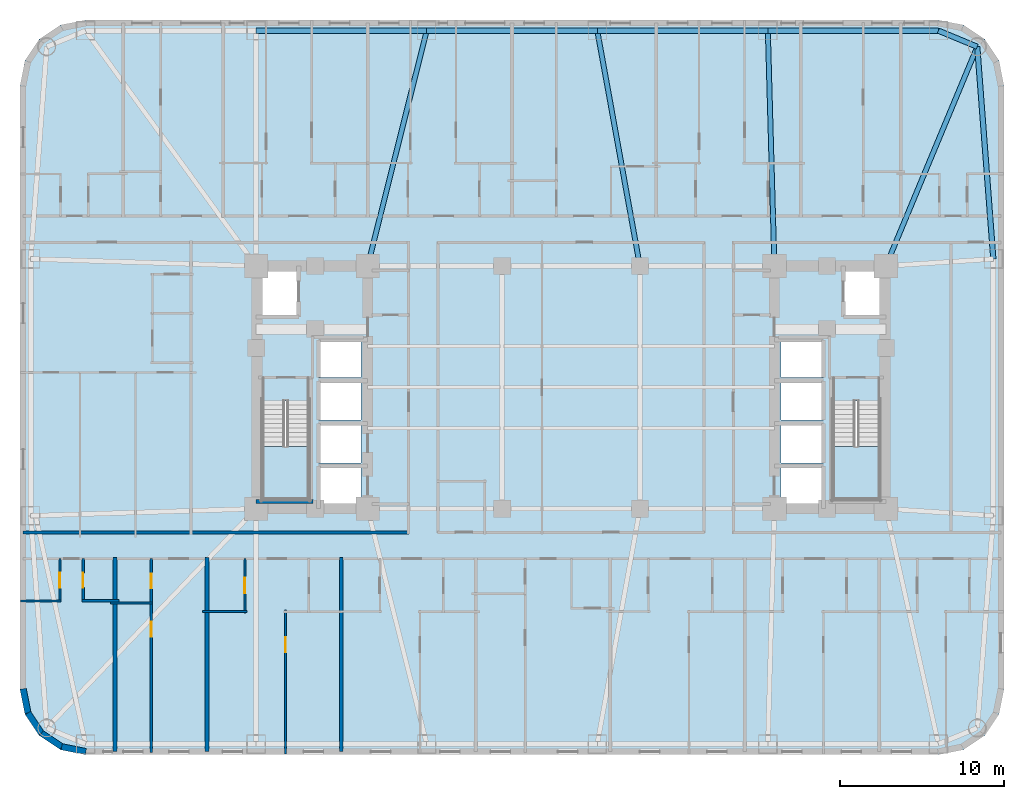
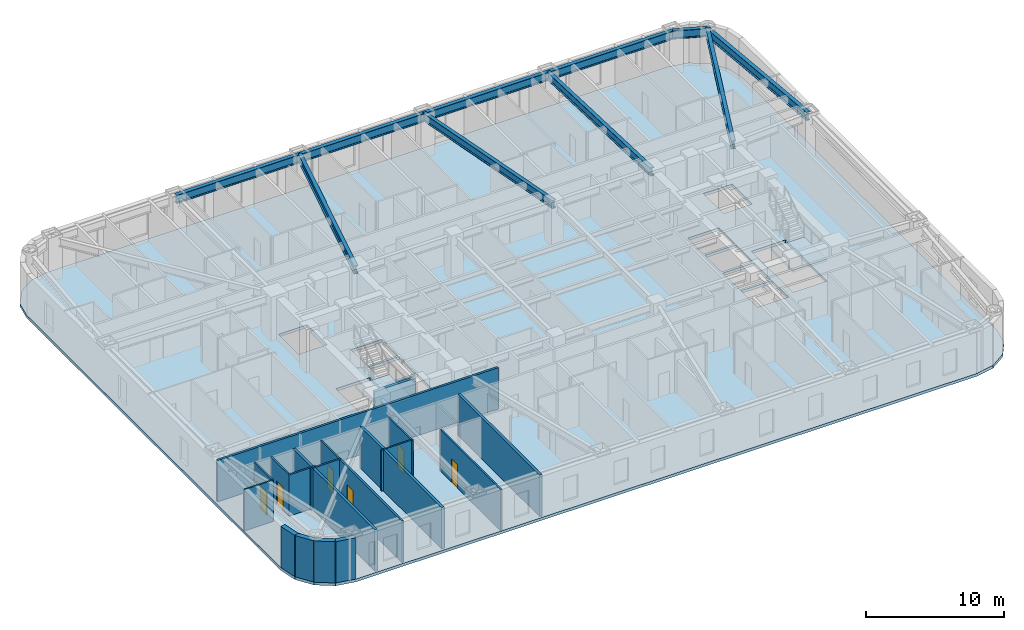
# One storey, part 2 of 12: 19 walls, 10 beams, 6 doors, 3 slabs, 6 openings, 2 elements without a shape of their own.
"""IFC4 building model written with IfcOpenShell, lengths in metres."""

import ifcopenshell
import ifcopenshell.guid

model = None  # the IFC model being written
_history = None  # IfcOwnerHistory: only IFC2X3 demands one
_inside = {}  # id of a spatial element -> (the spatial element, [elements in it])
_under = {}  # id of a project, library or spatial element -> (it, [spatial elements below it])
_declared = {}  # id of a project -> (the project, [libraries it declares])
_typed = {}  # id of a type object -> (the type object, [elements of that type])
_made_of = {}  # id of a material, layer set ... -> (it, [elements and type objects made of it])


def new_model(schema):
    """Start an empty IFC model of exactly this schema.

    Asked for "IFC4X3", IfcOpenShell would pick the latest addendum, in which some entities
    have other attributes; the version numbers below select the first issue.
    IFC2X3 requires an IfcOwnerHistory on every rooted entity: one is made here for all.
    """
    global model, _history
    if schema == "IFC4X3":
        model = ifcopenshell.file(schema_version=(4, 3, 0, 0))
    else:
        model = ifcopenshell.file(schema=schema)
    _inside.clear()
    _under.clear()
    _declared.clear()
    _typed.clear()
    _made_of.clear()
    _history = None
    if model.schema == "IFC2X3":
        org = make("IfcOrganization", Name="unknown")
        user = make(
            "IfcPersonAndOrganization",
            ThePerson=make("IfcPerson", FamilyName="unknown"),
            TheOrganization=org,
        )
        app = make(
            "IfcApplication",
            ApplicationDeveloper=org,
            Version="unknown",
            ApplicationFullName="unknown",
            ApplicationIdentifier="unknown",
        )
        _history = make(
            "IfcOwnerHistory",
            OwningUser=user,
            OwningApplication=app,
            ChangeAction="ADDED",
            CreationDate=0,
        )
    return model


def make(cls, **values):
    """One entity of the class cls with the attributes given. An attribute that is None is left unset."""
    return model.create_entity(
        cls, **{name: value for name, value in values.items() if value is not None}
    )


def rooted(cls, **values):
    """An entity with a GlobalId (a new one), such as an element, a storey or a relation."""
    return make(cls, GlobalId=ifcopenshell.guid.new(), OwnerHistory=_history, **values)


def si_unit(unit_type, name, prefix=None):
    """IfcSIUnit, for example si_unit("LENGTHUNIT", "METRE", prefix="MILLI")."""
    return make("IfcSIUnit", UnitType=unit_type, Prefix=prefix, Name=name)


def assignment(units):
    """IfcUnitAssignment: the units of a project."""
    return None if units is None else make("IfcUnitAssignment", Units=units)


def point(xyz):
    """IfcCartesianPoint."""
    return None if xyz is None else make("IfcCartesianPoint", Coordinates=xyz)


def direction(xyz):
    """IfcDirection."""
    return None if xyz is None else make("IfcDirection", DirectionRatios=xyz)


def frame(location, z_axis=None, x_axis=None):
    """IfcAxis2Placement3D, a coordinate frame: its origin and axes. An axis left out is left unset."""
    return make(
        "IfcAxis2Placement3D",
        Location=point(location),
        Axis=direction(z_axis),
        RefDirection=direction(x_axis),
    )


def frame_2d(location, x_axis=None):
    """IfcAxis2Placement2D, a coordinate frame in the plane: its origin and x axis."""
    return make(
        "IfcAxis2Placement2D", Location=point(location), RefDirection=direction(x_axis)
    )


def origin():
    """The frame at (0, 0, 0) with its axes left unset."""
    return frame((0.0, 0.0, 0.0))


def origin_2d():
    """The frame at (0, 0) in the plane with its x axis left unset."""
    return frame_2d((0.0, 0.0))


def place(relative_to, where):
    """IfcLocalPlacement: puts the frame where relative to a parent placement (None: the world)."""
    return make(
        "IfcLocalPlacement", PlacementRelTo=relative_to, RelativePlacement=where
    )


def context(
    kind, dimensions, precision=None, world=None, true_north=None, identifier=None
):
    """IfcGeometricRepresentationContext, for example the 3D "Model" context."""
    return make(
        "IfcGeometricRepresentationContext",
        ContextIdentifier=identifier,
        ContextType=kind,
        CoordinateSpaceDimension=dimensions,
        Precision=precision,
        WorldCoordinateSystem=world,
        TrueNorth=true_north,
    )


def subcontext(parent, identifier, kind, view, scale=None):
    """IfcGeometricRepresentationSubContext, for example "Body" below "Model"."""
    return make(
        "IfcGeometricRepresentationSubContext",
        ContextIdentifier=identifier,
        ContextType=kind,
        ParentContext=parent,
        TargetScale=scale,
        TargetView=view,
    )


def project(units=None, contexts=None):
    """IfcProject with its units and contexts."""
    return rooted(
        "IfcProject",
        Name="project",
        RepresentationContexts=contexts,
        UnitsInContext=assignment(units),
    )


def spatial(cls, under=None, at=None, **own):
    """A site, building, storey or space (cls), placed at a placement, below another one or the project."""
    s = rooted(cls, ObjectPlacement=at, **own)
    if under is not None:
        _under.setdefault(under.id(), (under, []))[1].append(s)
    return s


def polyline(points):
    """IfcPolyline through the points."""
    return make("IfcPolyline", Points=[point(p) for p in points])


def profile(cls, at=None, kind="AREA", **sizes):
    """A parametric profile (cls). Its sizes go by their IFC names, for example OverallWidth=200.0."""
    return make(cls, ProfileType=kind, Position=at, **sizes)


def rectangle(**sizes):
    """IfcRectangleProfileDef."""
    return profile("IfcRectangleProfileDef", **sizes)


def i_section(**sizes):
    """IfcIShapeProfileDef."""
    return profile("IfcIShapeProfileDef", **sizes)


def outline(outer, holes=None, kind="AREA"):
    """IfcArbitraryClosedProfileDef: a profile drawn as a closed curve; with holes, ...WithVoids."""
    if holes is None:
        return make("IfcArbitraryClosedProfileDef", ProfileType=kind, OuterCurve=outer)
    return make(
        "IfcArbitraryProfileDefWithVoids",
        ProfileType=kind,
        OuterCurve=outer,
        InnerCurves=holes,
    )


def extrude(swept, where, along, depth):
    """IfcExtrudedAreaSolid: the profile swept, set in the frame where, extruded along a direction by depth."""
    return make(
        "IfcExtrudedAreaSolid",
        SweptArea=swept,
        Position=where,
        ExtrudedDirection=direction(along),
        Depth=depth,
    )


def shape(context_of_items, identifier, shape_type, items):
    """IfcShapeRepresentation: the items that make up one representation, for example the "Body"."""
    return make(
        "IfcShapeRepresentation",
        ContextOfItems=context_of_items,
        RepresentationIdentifier=identifier,
        RepresentationType=shape_type,
        Items=items,
    )


def material(Name=None, Category=None):
    """IfcMaterial."""
    return make("IfcMaterial", Name=Name, Category=Category)


def layer(
    of_material, thickness, ventilated=None, Name=None, Category=None, Priority=None
):
    """IfcMaterialLayer: one layer of a wall or slab, of a material (None: an air gap)."""
    return make(
        "IfcMaterialLayer",
        Material=of_material,
        LayerThickness=thickness,
        IsVentilated=ventilated,
        Name=Name,
        Category=Category,
        Priority=Priority,
    )


def layer_set(layers, Name=None):
    """IfcMaterialLayerSet."""
    return make("IfcMaterialLayerSet", MaterialLayers=layers, LayerSetName=Name)


def material_profile(
    of_material, cross_section, Name=None, Category=None, Priority=None
):
    """IfcMaterialProfile: a cross section and its material."""
    return make(
        "IfcMaterialProfile",
        Name=Name,
        Material=of_material,
        Profile=cross_section,
        Priority=Priority,
        Category=Category,
    )


def profile_set(profiles, Name=None, composite=None):
    """IfcMaterialProfileSet."""
    return make(
        "IfcMaterialProfileSet",
        Name=Name,
        MaterialProfiles=profiles,
        CompositeProfile=composite,
    )


def made_of(thing, what):
    """Note that an element or type object is made of a material, layer set ...; save() writes the relation."""
    if what is not None:
        _made_of.setdefault(what.id(), (what, []))[1].append(thing)
    return thing


def type_object(cls, material=None, **own):
    """A type object (cls), such as IfcWallType, which elements share."""
    return made_of(rooted(cls, **own), material)


def element(
    cls,
    number,
    at=None,
    inside=None,
    cuts=None,
    type_object=None,
    material=None,
    context=None,
    identifier="Body",
    shape_type=None,
    held_by="IfcProductDefinitionShape",
    body=None,
    shapes=None,
    **own,
):
    """One element of the class cls, such as IfcWall. Its Tag is "e" and its number.

    at: its placement. inside: the storey or other place that contains it. cuts: it is an
    opening in that element (IfcRelVoidsElement). A single representation is given by context,
    identifier, shape_type and body (its items); several are given by shapes. held_by: the class
    of the entity that holds the representations. save() writes the other relations.
    """
    e = rooted(cls, Tag="e%d" % number, ObjectPlacement=at, **own)
    if body is not None:
        shapes = [shape(context, identifier, shape_type, body)]
    if shapes is not None:
        e.Representation = make(held_by, Representations=shapes)
    if inside is not None:
        _inside.setdefault(inside.id(), (inside, []))[1].append(e)
    if cuts is not None:
        rooted(
            "IfcRelVoidsElement", RelatingBuildingElement=cuts, RelatedOpeningElement=e
        )
    if type_object is not None:
        _typed.setdefault(type_object.id(), (type_object, []))[1].append(e)
    return made_of(e, material)


def fill(opening, filler):
    """IfcRelFillsElement: the door or window that sits in an opening."""
    return rooted(
        "IfcRelFillsElement",
        RelatingOpeningElement=opening,
        RelatedBuildingElement=filler,
    )


def aggregate(whole, parts):
    """IfcRelAggregates: a whole, such as a stair, and the parts it consists of."""
    return rooted("IfcRelAggregates", RelatingObject=whole, RelatedObjects=parts)


def save(model, path):
    """Write the relations noted so far, then the file.

    IfcRelAggregates (storeys below a building ...), IfcRelContainedInSpatialStructure (elements
    in a storey), IfcRelDefinesByType, IfcRelAssociatesMaterial and IfcRelDeclares: one each for
    every whole, place, type object, material and project.
    """
    for whole, parts in _under.values():
        aggregate(whole, parts)
    for where, things in _inside.values():
        rooted(
            "IfcRelContainedInSpatialStructure",
            RelatedElements=things,
            RelatingStructure=where,
        )
    for kind, things in _typed.values():
        rooted("IfcRelDefinesByType", RelatedObjects=things, RelatingType=kind)
    for what, things in _made_of.values():
        rooted("IfcRelAssociatesMaterial", RelatedObjects=things, RelatingMaterial=what)
    for by, libraries in _declared.values():
        rooted("IfcRelDeclares", RelatingContext=by, RelatedDefinitions=libraries)
    model.write(path)


model = new_model("IFC4")

# Units and contexts
model_context = context("Model", 3, precision=1e-05, world=origin(), true_north=direction((0.0, 1.0)))
body_context = subcontext(model_context, "Body", "Model", "MODEL_VIEW")
ifc_project = project(units=[si_unit("LENGTHUNIT", "METRE"), si_unit("AREAUNIT", "SQUARE_METRE"), si_unit("VOLUMEUNIT", "CUBIC_METRE"), si_unit("PLANEANGLEUNIT", "RADIAN"), si_unit("MASSUNIT", "GRAM", prefix="KILO")], contexts=[model_context])

# Site, building, storey
site_placement = place(None, origin())
site = spatial("IfcSite", under=ifc_project, at=site_placement, CompositionType="ELEMENT")
building_placement = place(site_placement, origin())
building = spatial("IfcBuilding", under=site, at=building_placement, Name="Voryun Gate Residences", CompositionType="ELEMENT")
storey_placement = place(building_placement, frame((0.0, 0.0, 72.800048828125)))
storey = spatial("IfcBuildingStorey", under=building, at=storey_placement, Name="L17", CompositionType="ELEMENT", Elevation=72.800048828125)

# Beams
ifc_material_1 = material(Name="Steel SM355", Category="steel")
ifc_material_profile_1 = material_profile(ifc_material_1, i_section(OverallWidth=0.320068359375, OverallDepth=0.75, WebThickness=0.01611328125, FlangeThickness=0.028076171875, FilletRadius=0.01806640625, at=origin_2d()), Name="H-750x320x16x28")
ifc_profile_set_1 = profile_set([ifc_material_profile_1], Name="Steel SM355")
beam_type_1 = type_object("IfcBeamType", Name="BM_EXO_SPANDREL_L", PredefinedType="SPANDREL", material=ifc_profile_set_1)
beam_1_placement = place(storey_placement, frame((25.75, 7.830078125, 3.27490234375), z_axis=(-0.075617360159, 0.997136908776, 0.0), x_axis=(-0.997136908776, -0.075617360159, 0.0)))
element("IfcBeam", 1, at=beam_1_placement, inside=storey, type_object=beam_type_1, Name="BM-L17-SPAND-09", PredefinedType="SPANDREL", context=body_context, shape_type="SweptSolid", body=[
    extrude(i_section(OverallWidth=0.320068359375, OverallDepth=0.75, WebThickness=0.01611328125, FlangeThickness=0.028076171875, FilletRadius=0.01806640625, at=origin_2d()), origin(), (0.0, 0.0, 1.0), 12.975830078125),
])
beam_2_placement = place(storey_placement, frame((24.768798828125, 20.768798828125, 3.27490234375), z_axis=(-0.923883376753, 0.382674151414, 0.0), x_axis=(-0.382674151414, -0.923883376753, 0.0)))
element("IfcBeam", 2, at=beam_2_placement, inside=storey, type_object=beam_type_1, Name="BM-L17-SPAND-10", PredefinedType="SPANDREL", context=body_context, shape_type="SweptSolid", body=[
    extrude(i_section(OverallWidth=0.320068359375, OverallDepth=0.75, WebThickness=0.01611328125, FlangeThickness=0.028076171875, FilletRadius=0.01806640625, at=origin_2d()), origin(), (0.0, 0.0, 1.0), 2.56396484375),
])
for number, where, z_axis, x_axis, name in (
    (3, (22.39990234375, 21.75, 3.27490234375), (-1.0, 0.0, 0.0), (0.0, -1.0, 0.0), "BM-L17-SPAND-11"),
    (4, (12.0, 21.75, 3.27490234375), (-1.0, 0.0, 0.0), (0.0, -1.0, 0.0), "BM-L17-SPAND-12"),
):
    element("IfcBeam", number, at=place(storey_placement, frame(where, z_axis=z_axis, x_axis=x_axis)), inside=storey, type_object=beam_type_1, Name=name, PredefinedType="SPANDREL", context=body_context, shape_type="SweptSolid", body=[
        extrude(i_section(OverallWidth=0.320068359375, OverallDepth=0.75, WebThickness=0.01611328125, FlangeThickness=0.028076171875, FilletRadius=0.01806640625, at=origin_2d()), origin(), (0.0, 0.0, 1.0), 10.39990234375),
    ])
beam_3_placement = place(storey_placement, frame((1.60009765625, 21.75, 3.27490234375), z_axis=(-1.0, 0.0, 0.0), x_axis=(0.0, -1.0, 0.0)))
element("IfcBeam", 5, at=beam_3_placement, inside=storey, type_object=beam_type_1, Name="BM-L17-SPAND-13", PredefinedType="SPANDREL", context=body_context, shape_type="SweptSolid", body=[
    extrude(i_section(OverallWidth=0.320068359375, OverallDepth=0.75, WebThickness=0.01611328125, FlangeThickness=0.028076171875, FilletRadius=0.01806640625, at=origin_2d()), origin(), (0.0, 0.0, 1.0), 10.400146484375),
])
beam_4_placement = place(storey_placement, frame((-8.800048828125, 21.75, 3.27490234375), z_axis=(-1.0, 0.0, 0.0), x_axis=(0.0, -1.0, 0.0)))
element("IfcBeam", 6, at=beam_4_placement, inside=storey, type_object=beam_type_1, Name="BM-L17-SPAND-14", PredefinedType="SPANDREL", context=body_context, shape_type="SweptSolid", body=[
    extrude(i_section(OverallWidth=0.320068359375, OverallDepth=0.75, WebThickness=0.01611328125, FlangeThickness=0.028076171875, FilletRadius=0.01806640625, at=origin_2d()), origin(), (0.0, 0.0, 1.0), 10.39990234375),
])
ifc_material_2 = material(Name="Steel SM355", Category="steel")
ifc_material_profile_2 = material_profile(ifc_material_2, i_section(OverallWidth=0.300048828125, OverallDepth=0.699951171875, WebThickness=0.012939453125, FlangeThickness=0.02392578125, FilletRadius=0.01806640625, at=origin_2d()), Name="H-700x300x13x24")
ifc_profile_set_2 = profile_set([ifc_material_profile_2], Name="Steel SM355")
beam_type_2 = type_object("IfcBeamType", Name="BM_GIRD_700", PredefinedType="USERDEFINED", material=ifc_profile_set_2)
beam_5_placement = place(storey_placement, frame((19.199951171875, 7.39990234375, 3.300048828125), z_axis=(0.384525607719, 0.923114324993, 0.0), x_axis=(-0.923114324993, 0.384525607719, 0.0)))
element("IfcBeam", 7, at=beam_5_placement, inside=storey, type_object=beam_type_2, Name="BM-L17-RAD-CNE", ObjectType="GIRDER", PredefinedType="USERDEFINED", context=body_context, shape_type="SweptSolid", body=[
    extrude(i_section(OverallWidth=0.300048828125, OverallDepth=0.699951171875, WebThickness=0.012939453125, FlangeThickness=0.02392578125, FilletRadius=0.01806640625, at=origin_2d()), origin(), (0.0, 0.0, 1.0), 14.482421875),
])
beam_6_placement = place(storey_placement, frame((12.39990234375, 7.39990234375, 3.300048828125), z_axis=(-0.0278567548, 0.999611925305, 0.0), x_axis=(-0.999611925305, -0.0278567548, 0.0)))
element("IfcBeam", 8, at=beam_6_placement, inside=storey, type_object=beam_type_2, Name="BM-L17-RAD-N2", ObjectType="GIRDER", PredefinedType="USERDEFINED", context=body_context, shape_type="SweptSolid", body=[
    extrude(i_section(OverallWidth=0.300048828125, OverallDepth=0.699951171875, WebThickness=0.012939453125, FlangeThickness=0.02392578125, FilletRadius=0.01806640625, at=origin_2d()), origin(), (0.0, 0.0, 1.0), 14.355712890625),
])
beam_7_placement = place(storey_placement, frame((4.199951171875, 7.39990234375, 3.300048828125), z_axis=(-0.178271088758, 0.983981411874, 0.0), x_axis=(-0.983981411874, -0.178271088758, 0.0)))
element("IfcBeam", 9, at=beam_7_placement, inside=storey, type_object=beam_type_2, Name="BM-L17-RAD-N3", ObjectType="GIRDER", PredefinedType="USERDEFINED", context=body_context, shape_type="SweptSolid", body=[
    extrude(i_section(OverallWidth=0.300048828125, OverallDepth=0.699951171875, WebThickness=0.012939453125, FlangeThickness=0.02392578125, FilletRadius=0.01806640625, at=origin_2d()), origin(), (0.0, 0.0, 1.0), 14.583740234375),
])
beam_8_placement = place(storey_placement, frame((-12.39990234375, 7.39990234375, 3.300048828125), z_axis=(0.243319869291, 0.969946102218, 0.0), x_axis=(-0.969946102218, 0.243319869291, 0.0)))
element("IfcBeam", 10, at=beam_8_placement, inside=storey, type_object=beam_type_2, Name="BM-L17-RAD-N4", ObjectType="GIRDER", PredefinedType="USERDEFINED", context=body_context, shape_type="SweptSolid", body=[
    extrude(i_section(OverallWidth=0.300048828125, OverallDepth=0.699951171875, WebThickness=0.012939453125, FlangeThickness=0.02392578125, FilletRadius=0.01806640625, at=origin_2d()), origin(), (0.0, 0.0, 1.0), 14.794677734375),
])

# Slab
ifc_material_3 = material(Name="Concrete C40/50", Category="concrete")
ifc_layer_1 = layer(ifc_material_3, 0.25, Name="SLB_RES_250")
ifc_layer_set_1 = layer_set([ifc_layer_1], Name="Concrete C40/50")
slab_type_1 = type_object("IfcSlabType", Name="SLB_RES_250", PredefinedType="FLOOR", material=ifc_layer_set_1)
slab_1_placement = place(storey_placement, frame((0.0, 0.0, -0.25)))
element("IfcSlab", 11, at=slab_1_placement, inside=storey, type_object=slab_type_1, Name="L17 Structural Floor Slab", PredefinedType="FLOOR", context=body_context, shape_type="SweptSolid", body=[
    extrude(outline(polyline([(-29.60009765625, -22.39990234375), (-31.130615234375, -22.095458984375), (-32.428466796875, -21.228515625), (-33.29541015625, -19.9306640625), (-33.60009765625, -18.39990234375), (-33.60009765625, 18.39990234375), (-33.29541015625, 19.9306640625), (-32.428466796875, 21.228515625), (-31.130615234375, 22.095458984375), (-29.60009765625, 22.39990234375), (22.39990234375, 22.39990234375), (23.9306640625, 22.095458984375), (25.228515625, 21.228515625), (26.095458984375, 19.9306640625), (26.39990234375, 18.39990234375), (26.39990234375, -18.39990234375), (26.095458984375, -19.9306640625), (25.228515625, -21.228515625), (23.9306640625, -22.095458984375), (22.39990234375, -22.39990234375), (-29.60009765625, -22.39990234375)]), holes=[polyline([(-12.800048828125, -4.800048828125), (-15.39990234375, -4.800048828125), (-15.39990234375, -7.199951171875), (-12.800048828125, -7.199951171875), (-12.800048828125, -4.800048828125)]), polyline([(-18.824951171875, -6.85009765625), (-15.97509765625, -6.85009765625), (-15.97509765625, -0.840087890625), (-18.824951171875, -0.840087890625), (-18.824951171875, -6.85009765625)]), polyline([(-12.800048828125, -4.60009765625), (-12.800048828125, -2.199951171875), (-15.39990234375, -2.199951171875), (-15.39990234375, -4.60009765625), (-12.800048828125, -4.60009765625)]), polyline([(-12.800048828125, 0.39990234375), (-15.39990234375, 0.39990234375), (-15.39990234375, -2.0), (-12.800048828125, -2.0), (-12.800048828125, 0.39990234375)]), polyline([(-12.800048828125, 0.60009765625), (-12.800048828125, 2.89990234375), (-15.39990234375, 2.89990234375), (-15.39990234375, 0.60009765625), (-12.800048828125, 0.60009765625)]), polyline([(-16.60009765625, 4.300048828125), (-16.60009765625, 7.199951171875), (-19.0, 7.199951171875), (-19.0, 4.300048828125), (-16.60009765625, 4.300048828125)]), polyline([(15.39990234375, -4.800048828125), (12.800048828125, -4.800048828125), (12.800048828125, -7.199951171875), (15.39990234375, -7.199951171875), (15.39990234375, -4.800048828125)]), polyline([(15.97509765625, -6.85009765625), (18.824951171875, -6.85009765625), (18.824951171875, -0.840087890625), (15.97509765625, -0.840087890625), (15.97509765625, -6.85009765625)]), polyline([(15.39990234375, -4.60009765625), (15.39990234375, -2.199951171875), (12.800048828125, -2.199951171875), (12.800048828125, -4.60009765625), (15.39990234375, -4.60009765625)]), polyline([(15.39990234375, 0.39990234375), (12.800048828125, 0.39990234375), (12.800048828125, -2.0), (15.39990234375, -2.0), (15.39990234375, 0.39990234375)]), polyline([(15.39990234375, 0.60009765625), (15.39990234375, 2.89990234375), (12.800048828125, 2.89990234375), (12.800048828125, 0.60009765625), (15.39990234375, 0.60009765625)]), polyline([(19.0, 4.300048828125), (19.0, 7.199951171875), (16.60009765625, 7.199951171875), (16.60009765625, 4.300048828125), (19.0, 4.300048828125)])]), origin(), (0.0, 0.0, 1.0), 0.25),
])

# Stair, slab
ifc_material_4 = material(Name="Concrete C40/50", Category="concrete")
stair_type = type_object("IfcStairType", Name="STR_CORE_DOGLEG_1350", PredefinedType="HALF_TURN_STAIR", material=ifc_material_4)
stair_1_placement = place(storey_placement, origin())
stair_1 = element("IfcStair", 12, at=stair_1_placement, inside=storey, type_object=stair_type, Name="L17 Special Escape Stair ST-W1", PredefinedType="HALF_TURN_STAIR")
ifc_material_5 = material(Name="Concrete C40/50", Category="concrete")
ifc_layer_2 = layer(ifc_material_5, 0.199951171875, Name="SLB_STAIR_LANDING_200")
ifc_layer_set_2 = layer_set([ifc_layer_2], Name="Concrete C40/50")
slab_type_2 = type_object("IfcSlabType", Name="SLB_STAIR_LANDING_200", PredefinedType="LANDING", material=ifc_layer_set_2)
slab_2_placement = place(storey_placement, frame((0.0, 0.0, 1.75)))
slab_2 = element("IfcSlab", 13, at=slab_2_placement, type_object=slab_type_2, Name="ST-W1 landing 1", PredefinedType="LANDING", context=body_context, shape_type="SweptSolid", body=[
    extrude(outline(polyline([(-18.824951171875, -3.60009765625), (-18.824951171875, -6.85009765625), (-15.97509765625, -6.85009765625), (-15.97509765625, -3.60009765625), (-18.824951171875, -3.60009765625)])), origin(), (0.0, 0.0, 1.0), 0.199951171875),
])
aggregate(stair_1, [slab_2])

stair_2_placement = place(storey_placement, origin())
stair_2 = element("IfcStair", 14, at=stair_2_placement, inside=storey, type_object=stair_type, Name="L17 Special Escape Stair ST-E1", PredefinedType="HALF_TURN_STAIR")
slab_3_placement = place(storey_placement, frame((0.0, 0.0, 1.75)))
slab_3 = element("IfcSlab", 15, at=slab_3_placement, type_object=slab_type_2, Name="ST-E1 landing 1", PredefinedType="LANDING", context=body_context, shape_type="SweptSolid", body=[
    extrude(outline(polyline([(15.97509765625, -3.60009765625), (15.97509765625, -6.85009765625), (18.824951171875, -6.85009765625), (18.824951171875, -3.60009765625), (15.97509765625, -3.60009765625)])), origin(), (0.0, 0.0, 1.0), 0.199951171875),
])
aggregate(stair_2, [slab_3])

# Walls
ifc_material_6 = material(Name="Gypsum acoustic fireboard")
ifc_layer_3 = layer(ifc_material_6, 0.179931640625, Name="W_CORR_RATED_180")
ifc_layer_set_3 = layer_set([ifc_layer_3], Name="Gypsum acoustic fireboard")
wall_type_1 = type_object("IfcWallType", Name="W_CORR_RATED_180", PredefinedType="PARTITIONING", material=ifc_layer_set_3)
wall_1_placement = place(storey_placement, frame((-33.409912109375, -8.840087890625, 0.0), z_axis=(0.0, 0.0, 1.0), x_axis=(1.0, 0.0, 0.0)))
element("IfcWall", 16, at=wall_1_placement, inside=storey, type_object=wall_type_1, Name="Partition wall WP-L17-CWING-WS", PredefinedType="PARTITIONING", context=body_context, shape_type="SweptSolid", body=[
    extrude(rectangle(XDim=23.530029296875, YDim=0.179931640625, at=frame_2d((11.76513671875, 0.0))), origin(), (0.0, 0.0, 1.0), 3.64990234375),
])
ifc_material_7 = material(Name="Granite masonry", Category="masonry")
ifc_layer_4 = layer(ifc_material_7, 0.3798828125, Name="W_EXT_GRANITE_380")
ifc_layer_set_4 = layer_set([ifc_layer_4], Name="Granite masonry")
wall_type_2 = type_object("IfcWallType", Name="W_EXT_GRANITE_380", PredefinedType="ELEMENTEDWALL", material=ifc_layer_set_4)
wall_2_placement = place(storey_placement, frame((-29.581298828125, -22.2099609375, 0.0), z_axis=(0.0, 0.0, 1.0), x_axis=(-0.980786132421, 0.195086038585, 0.0)))
element("IfcWall", 17, at=wall_2_placement, inside=storey, type_object=wall_type_2, Name="Exterior wall WEXT-L17-02", PredefinedType="ELEMENTEDWALL", context=body_context, shape_type="SweptSolid", body=[
    extrude(rectangle(XDim=1.504150390625, YDim=0.3798828125, at=frame_2d((0.751953125, 0.0))), origin(), (0.0, 0.0, 1.0), 3.64990234375),
])
wall_3_placement = place(storey_placement, frame((-31.056640625, -21.91650390625, 0.0), z_axis=(0.0, 0.0, 1.0), x_axis=(-0.831442848281, 0.555610286119, 0.0)))
element("IfcWall", 18, at=wall_3_placement, inside=storey, type_object=wall_type_2, Name="Exterior wall WEXT-L17-03", PredefinedType="ELEMENTEDWALL", context=body_context, shape_type="SweptSolid", body=[
    extrude(rectangle(XDim=1.485107421875, YDim=0.3798828125, at=frame_2d((0.74267578125, 0.0))), origin(), (0.0, 0.0, 1.0), 3.64990234375),
])
wall_4_placement = place(storey_placement, frame((-32.29150390625, -21.09130859375, 0.0), z_axis=(0.0, 0.0, 1.0), x_axis=(-0.555572577804, 0.831468045563, 0.0)))
element("IfcWall", 19, at=wall_4_placement, inside=storey, type_object=wall_type_2, Name="Exterior wall WEXT-L17-04", PredefinedType="ELEMENTEDWALL", context=body_context, shape_type="SweptSolid", body=[
    extrude(rectangle(XDim=1.48486328125, YDim=0.3798828125, at=frame_2d((0.742431640625, 0.0))), origin(), (0.0, 0.0, 1.0), 3.64990234375),
])
wall_5_placement = place(storey_placement, frame((-33.116455078125, -19.856689453125, 0.0), z_axis=(0.0, 0.0, 1.0), x_axis=(-0.195086038585, 0.980786132421, 0.0)))
element("IfcWall", 20, at=wall_5_placement, inside=storey, type_object=wall_type_2, Name="Exterior wall WEXT-L17-05", PredefinedType="ELEMENTEDWALL", context=body_context, shape_type="SweptSolid", body=[
    extrude(rectangle(XDim=1.504150390625, YDim=0.3798828125, at=frame_2d((0.751953125, 0.0))), origin(), (0.0, 0.0, 1.0), 3.64990234375),
])
ifc_material_8 = material(Name="Concrete C40/50", Category="concrete")
ifc_layer_5 = layer(ifc_material_8, 0.219970703125, Name="W_PARTY_ACOUSTIC_220")
ifc_layer_set_5 = layer_set([ifc_layer_5], Name="Concrete C40/50")
wall_type_3 = type_object("IfcWallType", Name="W_PARTY_ACOUSTIC_220", PredefinedType="PARTITIONING", material=ifc_layer_set_5)
for number, where, z_axis, x_axis, name in (
    (21, (-27.80908203125, -22.2099609375, 0.0), (0.0, 0.0, 1.0), (0.0, 1.0, 0.0), "Partition wall WP-L17-SPTY-1"),
    (22, (-22.199951171875, -22.2099609375, 0.0), (0.0, 0.0, 1.0), (0.0, 1.0, 0.0), "Partition wall WP-L17-SPTY-2"),
    (23, (-14.0, -22.2099609375, 0.0), (0.0, 0.0, 1.0), (0.0, 1.0, 0.0), "Partition wall WP-L17-SPTY-3"),
):
    element("IfcWall", number, at=place(storey_placement, frame(where, z_axis=z_axis, x_axis=x_axis)), inside=storey, type_object=wall_type_3, Name=name, PredefinedType="PARTITIONING", context=body_context, shape_type="SweptSolid", body=[
        extrude(rectangle(XDim=11.83984375, YDim=0.219970703125, at=frame_2d((5.919921875, 0.0))), origin(), (0.0, 0.0, 1.0), 3.64990234375),
    ])
ifc_material_9 = material(Name="Concrete C50/60", Category="concrete")
ifc_layer_6 = layer(ifc_material_9, 0.25, Name="W_SHAFT_RC250")
ifc_layer_set_6 = layer_set([ifc_layer_6], Name="Concrete C50/60")
wall_type_4 = type_object("IfcWallType", Name="W_SHAFT_RC250", PredefinedType="SOLIDWALL", material=ifc_layer_set_6)
wall_6_placement = place(storey_placement, frame((-19.199951171875, -6.965087890625, 0.0), z_axis=(0.0, 0.0, 1.0), x_axis=(1.0, 0.0, 0.0)))
element("IfcWall", 24, at=wall_6_placement, inside=storey, type_object=wall_type_4, Name="L17 Stair shaft structural wall W-STS", PredefinedType="SOLIDWALL", context=body_context, shape_type="SweptSolid", body=[
    extrude(rectangle(XDim=3.4599609375, YDim=0.25, at=frame_2d((1.72998046875, 0.0))), origin(), (0.0, 0.0, 1.0), 3.64990234375),
])

# Wall, opening, door
ifc_material_10 = material(Name="Gypsum acoustic partition")
ifc_layer_7 = layer(ifc_material_10, 0.125, Name="W_UNIT_PART_125")
ifc_layer_set_7 = layer_set([ifc_layer_7], Name="Gypsum acoustic partition")
wall_type_5 = type_object("IfcWallType", Name="W_UNIT_PART_125", PredefinedType="PARTITIONING", material=ifc_layer_set_7)
wall_7_placement = place(storey_placement, frame((-31.16796875, -13.080078125, 0.0), z_axis=(0.0, 0.0, 1.0), x_axis=(0.0, 1.0, 0.0)))
wall_7 = element("IfcWall", 25, at=wall_7_placement, inside=storey, type_object=wall_type_5, Name="Partition wall WP-L17-S1-CVK", PredefinedType="PARTITIONING", context=body_context, shape_type="SweptSolid", body=[
    extrude(rectangle(XDim=2.650146484375, YDim=0.125, at=frame_2d((1.3251953125, 0.0))), origin(), (0.0, 0.0, 1.0), 3.64990234375),
])
opening_1_placement = place(wall_7_placement, frame((0.875, 0.0, 0.0)))
opening_1 = element("IfcOpeningElement", 26, at=opening_1_placement, cuts=wall_7, Name="Opening D-INT-2", PredefinedType="OPENING", context=body_context, shape_type="SweptSolid", body=[
    extrude(rectangle(XDim=0.89990234375, YDim=2.050048828125, at=frame_2d((0.449951171875, 1.02490234375))), frame((0.0, 0.072509765625, 0.0), z_axis=(0.0, -1.0, 0.0), x_axis=(1.0, 0.0, 0.0)), (0.0, 0.0, 1.0), 0.14501953125),
])
ifc_material_11 = material(Name="Architectural oak veneer")
door_type_1 = type_object("IfcDoorType", Name="DR_INT_BATH_900", OperationType="NOTDEFINED", PredefinedType="DOOR", material=ifc_material_11)
door_1_placement = place(opening_1_placement, origin())
door_1 = element("IfcDoor", 27, at=door_1_placement, inside=storey, type_object=door_type_1, Name="Door DR-L17-S1-DK", OperationType="SINGLE_SWING_LEFT", OverallHeight=2.050048828125, OverallWidth=0.89990234375, PredefinedType="DOOR", context=body_context, shape_type="SweptSolid", body=[
    extrude(rectangle(XDim=0.89990234375, YDim=2.050048828125, at=frame_2d((0.449951171875, 1.02490234375))), frame((0.0, 0.02490234375, 0.0), z_axis=(0.0, -1.0, 0.0), x_axis=(1.0, 0.0, 0.0)), (0.0, 0.0, 1.0), 0.050048828125),
])
fill(opening_1, door_1)

# Wall
wall_8_placement = place(storey_placement, frame((-33.56005859375, -13.02001953125, 0.0), z_axis=(0.0, 0.0, 1.0), x_axis=(1.0, 0.0, 0.0)))
element("IfcWall", 28, at=wall_8_placement, inside=storey, type_object=wall_type_5, Name="Partition wall WP-L17-S1-CHK", PredefinedType="PARTITIONING", context=body_context, shape_type="SweptSolid", body=[
    extrude(rectangle(XDim=2.4521484375, YDim=0.125, at=frame_2d((1.22607421875, 0.0))), origin(), (0.0, 0.0, 1.0), 3.64990234375),
])

# Wall, opening, door
wall_9_placement = place(storey_placement, frame((-17.409912109375, -22.360107421875, 0.0), z_axis=(0.0, 0.0, 1.0), x_axis=(0.0, 1.0, 0.0)))
wall_9 = element("IfcWall", 29, at=wall_9_placement, inside=storey, type_object=wall_type_5, Name="Partition wall WP-L17-S3-OVR", PredefinedType="PARTITIONING", context=body_context, shape_type="SweptSolid", body=[
    extrude(rectangle(XDim=8.77001953125, YDim=0.125, at=frame_2d((4.385009765625, 0.0))), origin(), (0.0, 0.0, 1.0), 3.64990234375),
])
opening_2_placement = place(wall_9_placement, frame((6.215087890625, 0.0, 0.0)))
opening_2 = element("IfcOpeningElement", 30, at=opening_2_placement, cuts=wall_9, Name="Opening D-INT-2", PredefinedType="OPENING", context=body_context, shape_type="SweptSolid", body=[
    extrude(rectangle(XDim=0.89990234375, YDim=2.050048828125, at=frame_2d((0.449951171875, 1.02490234375))), frame((0.0, 0.072509765625, 0.0), z_axis=(0.0, -1.0, 0.0), x_axis=(1.0, 0.0, 0.0)), (0.0, 0.0, 1.0), 0.14501953125),
])
door_2_placement = place(opening_2_placement, origin())
door_2 = element("IfcDoor", 31, at=door_2_placement, inside=storey, type_object=door_type_1, Name="Door DR-L17-S3-DMB", OperationType="SINGLE_SWING_RIGHT", OverallHeight=2.050048828125, OverallWidth=0.89990234375, PredefinedType="DOOR", context=body_context, shape_type="SweptSolid", body=[
    extrude(rectangle(XDim=0.89990234375, YDim=2.050048828125, at=frame_2d((0.449951171875, 1.02490234375))), frame((0.0, 0.02490234375, 0.0), z_axis=(0.0, -1.0, 0.0), x_axis=(1.0, 0.0, 0.0)), (0.0, 0.0, 1.0), 0.050048828125),
])
fill(opening_2, door_2)

wall_10_placement = place(storey_placement, frame((-19.889892578125, -13.75, 0.0), z_axis=(0.0, 0.0, 1.0), x_axis=(0.0, 1.0, 0.0)))
wall_10 = element("IfcWall", 32, at=wall_10_placement, inside=storey, type_object=wall_type_5, Name="Partition wall WP-L17-S3-IVK", PredefinedType="PARTITIONING", context=body_context, shape_type="SweptSolid", body=[
    extrude(rectangle(XDim=3.320068359375, YDim=0.125, at=frame_2d((1.66015625, 0.0))), origin(), (0.0, 0.0, 1.0), 3.64990234375),
])
opening_3_placement = place(wall_10_placement, frame((1.18505859375, 0.0, 0.0)))
opening_3 = element("IfcOpeningElement", 33, at=opening_3_placement, cuts=wall_10, Name="Opening D-INT-1", PredefinedType="OPENING", context=body_context, shape_type="SweptSolid", body=[
    extrude(rectangle(XDim=0.949951171875, YDim=2.050048828125, at=frame_2d((0.47509765625, 1.02490234375))), frame((0.0, 0.072509765625, 0.0), z_axis=(0.0, -1.0, 0.0), x_axis=(1.0, 0.0, 0.0)), (0.0, 0.0, 1.0), 0.14501953125),
])
ifc_material_12 = material(Name="Architectural oak veneer")
door_type_2 = type_object("IfcDoorType", Name="DR_INT_ROOM_950", OperationType="NOTDEFINED", PredefinedType="DOOR", material=ifc_material_12)
door_3_placement = place(opening_3_placement, origin())
door_3 = element("IfcDoor", 34, at=door_3_placement, inside=storey, type_object=door_type_2, Name="Door DR-L17-S3-DK", OperationType="SINGLE_SWING_LEFT", OverallHeight=2.050048828125, OverallWidth=0.949951171875, PredefinedType="DOOR", context=body_context, shape_type="SweptSolid", body=[
    extrude(rectangle(XDim=0.949951171875, YDim=2.050048828125, at=frame_2d((0.47509765625, 1.02490234375))), frame((0.0, 0.02490234375, 0.0), z_axis=(0.0, -1.0, 0.0), x_axis=(1.0, 0.0, 0.0)), (0.0, 0.0, 1.0), 0.050048828125),
])
fill(opening_3, door_3)

# Wall
wall_11_placement = place(storey_placement, frame((-22.4599609375, -13.669921875, 0.0), z_axis=(0.0, 0.0, 1.0), x_axis=(1.0, 0.0, 0.0)))
element("IfcWall", 35, at=wall_11_placement, inside=storey, type_object=wall_type_5, Name="Partition wall WP-L17-S3-HZK", PredefinedType="PARTITIONING", context=body_context, shape_type="SweptSolid", body=[
    extrude(rectangle(XDim=2.68994140625, YDim=0.125, at=frame_2d((1.344970703125, 0.0))), origin(), (0.0, 0.0, 1.0), 3.64990234375),
])

# Wall, opening, door
ifc_material_13 = material(Name="Gypsum moisture-resistant partition")
ifc_layer_8 = layer(ifc_material_13, 0.14990234375, Name="W_WET_PLUMB_150")
ifc_layer_set_8 = layer_set([ifc_layer_8], Name="Gypsum moisture-resistant partition")
wall_type_6 = type_object("IfcWallType", Name="W_WET_PLUMB_150", PredefinedType="PLUMBINGWALL", material=ifc_layer_set_8)
wall_12_placement = place(storey_placement, frame((-29.756103515625, -13.080078125, 0.0), z_axis=(0.0, 0.0, 1.0), x_axis=(0.0, 1.0, 0.0)))
wall_12 = element("IfcWall", 36, at=wall_12_placement, inside=storey, type_object=wall_type_6, Name="Partition wall WP-L17-S1-CVB", PredefinedType="PLUMBINGWALL", context=body_context, shape_type="SweptSolid", body=[
    extrude(rectangle(XDim=2.650146484375, YDim=0.14990234375, at=frame_2d((1.3251953125, 0.0))), origin(), (0.0, 0.0, 1.0), 3.64990234375),
])
opening_4_placement = place(wall_12_placement, frame((0.875, 0.0, 0.0)))
opening_4 = element("IfcOpeningElement", 37, at=opening_4_placement, cuts=wall_12, Name="Opening D-INT-2", PredefinedType="OPENING", context=body_context, shape_type="SweptSolid", body=[
    extrude(rectangle(XDim=0.89990234375, YDim=2.050048828125, at=frame_2d((0.449951171875, 1.02490234375))), frame((0.0, 0.0849609375, 0.0), z_axis=(0.0, -1.0, 0.0), x_axis=(1.0, 0.0, 0.0)), (0.0, 0.0, 1.0), 0.169921875),
])
door_4_placement = place(opening_4_placement, origin())
door_4 = element("IfcDoor", 38, at=door_4_placement, inside=storey, type_object=door_type_1, Name="Door DR-L17-S1-DB", OperationType="SINGLE_SWING_RIGHT", OverallHeight=2.050048828125, OverallWidth=0.89990234375, PredefinedType="DOOR", context=body_context, shape_type="SweptSolid", body=[
    extrude(rectangle(XDim=0.89990234375, YDim=2.050048828125, at=frame_2d((0.449951171875, 1.02490234375))), frame((0.0, 0.02490234375, 0.0), z_axis=(0.0, -1.0, 0.0), x_axis=(1.0, 0.0, 0.0)), (0.0, 0.0, 1.0), 0.050048828125),
])
fill(opening_4, door_4)

# Walls
wall_13_placement = place(storey_placement, frame((-29.81591796875, -13.02001953125, 0.0), z_axis=(0.0, 0.0, 1.0), x_axis=(1.0, 0.0, 0.0)))
element("IfcWall", 39, at=wall_13_placement, inside=storey, type_object=wall_type_6, Name="Partition wall WP-L17-S1-CHB", PredefinedType="PLUMBINGWALL", context=body_context, shape_type="SweptSolid", body=[
    extrude(rectangle(XDim=2.266845703125, YDim=0.14990234375, at=frame_2d((1.13330078125, 0.0))), origin(), (0.0, 0.0, 1.0), 3.64990234375),
])
wall_14_placement = place(storey_placement, frame((-28.069091796875, -13.14990234375, 0.0), z_axis=(0.0, 0.0, 1.0), x_axis=(1.0, 0.0, 0.0)))
element("IfcWall", 40, at=wall_14_placement, inside=storey, type_object=wall_type_6, Name="Partition wall WP-L17-S2-SKB", PredefinedType="PLUMBINGWALL", context=body_context, shape_type="SweptSolid", body=[
    extrude(rectangle(XDim=2.550048828125, YDim=0.14990234375, at=frame_2d((1.27490234375, 0.0))), origin(), (0.0, 0.0, 1.0), 3.64990234375),
])

# Wall, opening, door
wall_15_placement = place(storey_placement, frame((-25.59912109375, -22.257568359375, 0.0), z_axis=(0.0, 0.0, 1.0), x_axis=(0.0, 1.0, 0.0)))
wall_15 = element("IfcWall", 41, at=wall_15_placement, inside=storey, type_object=wall_type_6, Name="Partition wall WP-L17-S2-SVT1", PredefinedType="PLUMBINGWALL", context=body_context, shape_type="SweptSolid", body=[
    extrude(rectangle(XDim=9.1474609375, YDim=0.14990234375, at=frame_2d((4.57373046875, 0.0))), origin(), (0.0, 0.0, 1.0), 3.64990234375),
])
opening_5_placement = place(wall_15_placement, frame((7.051025390625, 0.0, 0.0)))
opening_5 = element("IfcOpeningElement", 42, at=opening_5_placement, cuts=wall_15, Name="Opening D-INT-2", PredefinedType="OPENING", context=body_context, shape_type="SweptSolid", body=[
    extrude(rectangle(XDim=0.89990234375, YDim=2.050048828125, at=frame_2d((0.449951171875, 1.02490234375))), frame((0.0, 0.0849609375, 0.0), z_axis=(0.0, -1.0, 0.0), x_axis=(1.0, 0.0, 0.0)), (0.0, 0.0, 1.0), 0.169921875),
])
door_5_placement = place(opening_5_placement, origin())
door_5 = element("IfcDoor", 43, at=door_5_placement, inside=storey, type_object=door_type_1, Name="Door DR-L17-S2-DK", OperationType="SINGLE_SWING_LEFT", OverallHeight=2.050048828125, OverallWidth=0.89990234375, PredefinedType="DOOR", context=body_context, shape_type="SweptSolid", body=[
    extrude(rectangle(XDim=0.89990234375, YDim=2.050048828125, at=frame_2d((0.449951171875, 1.02490234375))), frame((0.0, 0.02490234375, 0.0), z_axis=(0.0, -1.0, 0.0), x_axis=(1.0, 0.0, 0.0)), (0.0, 0.0, 1.0), 0.050048828125),
])
fill(opening_5, door_5)

wall_16_placement = place(storey_placement, frame((-25.59912109375, -13.18994140625, 0.0), z_axis=(0.0, 0.0, 1.0), x_axis=(0.0, 1.0, 0.0)))
wall_16 = element("IfcWall", 44, at=wall_16_placement, inside=storey, type_object=wall_type_6, Name="Partition wall WP-L17-S2-SVT2", PredefinedType="PLUMBINGWALL", context=body_context, shape_type="SweptSolid", body=[
    extrude(rectangle(XDim=2.760009765625, YDim=0.14990234375, at=frame_2d((1.3798828125, 0.0))), origin(), (0.0, 0.0, 1.0), 3.64990234375),
])
opening_6_placement = place(wall_16_placement, frame((0.929931640625, 0.0, 0.0)))
opening_6 = element("IfcOpeningElement", 45, at=opening_6_placement, cuts=wall_16, Name="Opening D-INT-2", PredefinedType="OPENING", context=body_context, shape_type="SweptSolid", body=[
    extrude(rectangle(XDim=0.89990234375, YDim=2.050048828125, at=frame_2d((0.449951171875, 1.02490234375))), frame((0.0, 0.0849609375, 0.0), z_axis=(0.0, -1.0, 0.0), x_axis=(1.0, 0.0, 0.0)), (0.0, 0.0, 1.0), 0.169921875),
])
door_6_placement = place(opening_6_placement, origin())
door_6 = element("IfcDoor", 46, at=door_6_placement, inside=storey, type_object=door_type_1, Name="Door DR-L17-S2-DB", OperationType="SINGLE_SWING_RIGHT", OverallHeight=2.050048828125, OverallWidth=0.89990234375, PredefinedType="DOOR", context=body_context, shape_type="SweptSolid", body=[
    extrude(rectangle(XDim=0.89990234375, YDim=2.050048828125, at=frame_2d((0.449951171875, 1.02490234375))), frame((0.0, 0.02490234375, 0.0), z_axis=(0.0, -1.0, 0.0), x_axis=(1.0, 0.0, 0.0)), (0.0, 0.0, 1.0), 0.050048828125),
])
fill(opening_6, door_6)

save(model, "model.ifc")
